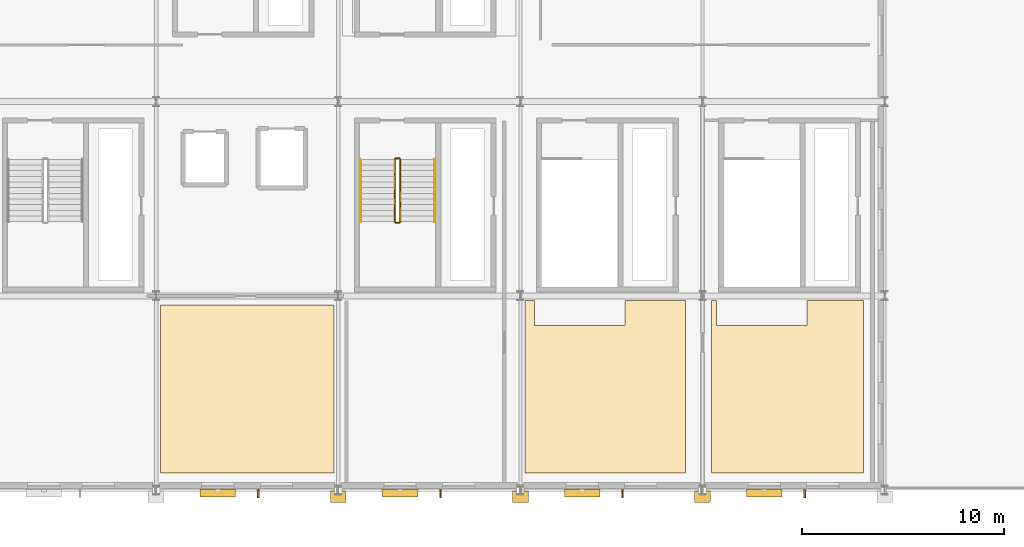
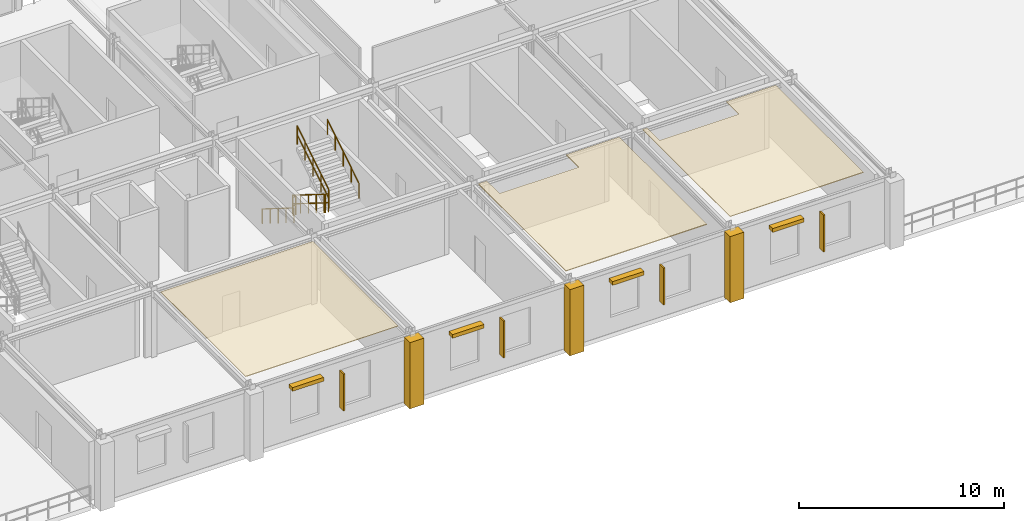
# One storey, part 75 of 81: 8 shading devices, 6 coverings, 6 railings.
"""IFC4 building model written with IfcOpenShell, lengths in metres."""

from ifc_helpers import new_model, si_unit, direction, frame, origin, origin_2d, place, context, subcontext, project, spatial, polyline, rectangle, outline, extrude, material, layer, layer_set, type_object, element, save


model = new_model("IFC4")

# Units and contexts
model_context = context("Model", 3, precision=1e-05, world=origin(), true_north=direction((0.0, 1.0)))
body_context = subcontext(model_context, "Body", "Model", "MODEL_VIEW")
ifc_project = project(units=[si_unit("LENGTHUNIT", "METRE"), si_unit("AREAUNIT", "SQUARE_METRE"), si_unit("VOLUMEUNIT", "CUBIC_METRE"), si_unit("PLANEANGLEUNIT", "RADIAN"), si_unit("MASSUNIT", "GRAM", prefix="KILO")], contexts=[model_context])

# Site, building, storey
site_placement = place(None, origin())
site = spatial("IfcSite", under=ifc_project, at=site_placement, CompositionType="ELEMENT")
building_placement = place(site_placement, origin())
building = spatial("IfcBuilding", under=site, at=building_placement, Name="Myrtia Square Station", CompositionType="ELEMENT")
storey_placement = place(building_placement, frame((0.0, 0.0, 10.800048828125)))
storey = spatial("IfcBuildingStorey", under=building, at=storey_placement, Name="L02", CompositionType="ELEMENT", Elevation=10.800048828125)

# Coverings
ifc_material_1 = material(Name="Pentelic marble ashlar", Category="masonry")
ifc_layer_1 = layer(ifc_material_1, 0.4599609375, Name="Pentelic marble ashlar")
ifc_layer_set_1 = layer_set([ifc_layer_1], Name="Pentelic marble ashlar")
covering_type_1 = type_object("IfcCoveringType", Name="COV-ARCH-ASHLAR", PredefinedType="CLADDING", material=ifc_layer_set_1)
for number, where, z_axis, x_axis, name in (
    (1, (135.0, -0.320068359375, -0.0400390625), (0.0, 0.0, 1.0), (1.0, 0.0, 0.0), "Classical Pentelic ashlar pilaster 022"),
    (2, (144.0, -0.320068359375, -0.0400390625), (0.0, 0.0, 1.0), (1.0, 0.0, 0.0), "Classical Pentelic ashlar pilaster 030"),
    (3, (153.0, -0.320068359375, -0.0400390625), (0.0, 0.0, 1.0), (1.0, 0.0, 0.0), "Classical Pentelic ashlar pilaster 038"),
):
    element("IfcCovering", number, at=place(storey_placement, frame(where, z_axis=z_axis, x_axis=x_axis)), inside=storey, type_object=covering_type_1, Name=name, PredefinedType="CLADDING", context=body_context, shape_type="SweptSolid", body=[
        extrude(rectangle(XDim=0.780029296875, YDim=0.56005859375, at=origin_2d()), origin(), (0.0, 0.0, 1.0), 3.93994140625),
    ])
ifc_material_2 = material(Name="Gypsum plasterboard")
ifc_layer_2 = layer(ifc_material_2, 0.034912109375, Name="Gypsum plasterboard")
ifc_layer_set_2 = layer_set([ifc_layer_2], Name="Gypsum plasterboard")
covering_type_2 = type_object("IfcCoveringType", Name="COV-CEIL-ACOUSTIC", PredefinedType="CEILING", material=ifc_layer_set_2)
covering_1_placement = place(storey_placement, frame((0.0, 0.0, 3.925048828125)))
element("IfcCovering", 4, at=covering_1_placement, inside=storey, type_object=covering_type_2, Name="Acoustic coffer ceiling L02-08", PredefinedType="CEILING", context=body_context, shape_type="SweptSolid", body=[
    extrude(outline(polyline([(134.780029296875, 9.14990234375), (134.780029296875, 0.85009765625), (126.219970703125, 0.85009765625), (126.219970703125, 9.14990234375), (134.780029296875, 9.14990234375)])), origin(), (0.0, 0.0, 1.0), 0.034912109375),
])
covering_2_placement = place(storey_placement, frame((0.0, 0.0, 3.89990234375)))
element("IfcCovering", 5, at=covering_2_placement, inside=storey, type_object=covering_type_2, Name="Acoustic coffer ceiling L02-10", PredefinedType="CEILING", context=body_context, shape_type="SweptSolid", body=[
    extrude(outline(polyline([(153.699951171875, 8.14990234375), (158.159912109375, 8.14990234375), (158.159912109375, 9.3798828125), (160.949951171875, 9.3798828125), (160.949951171875, 0.85009765625), (153.449951171875, 0.85009765625), (153.449951171875, 9.3798828125), (153.699951171875, 9.3798828125), (153.699951171875, 8.14990234375)])), origin(), (0.0, 0.0, 1.0), 0.03515625),
])
ifc_material_3 = material(Name="Acoustic European oak timber", Category="wood")
ifc_layer_3 = layer(ifc_material_3, 0.044921875, Name="Acoustic European oak timber")
ifc_layer_set_3 = layer_set([ifc_layer_3], Name="Acoustic European oak timber")
covering_type_3 = type_object("IfcCoveringType", Name="COV-CEIL-OAK", PredefinedType="CEILING", material=ifc_layer_set_3)
covering_3_placement = place(storey_placement, frame((0.0, 0.0, 3.889892578125)))
element("IfcCovering", 6, at=covering_3_placement, inside=storey, type_object=covering_type_3, Name="Acoustic coffer ceiling L02-09", PredefinedType="CEILING", context=body_context, shape_type="SweptSolid", body=[
    extrude(outline(polyline([(144.699951171875, 8.14990234375), (149.159912109375, 8.14990234375), (149.159912109375, 9.3798828125), (152.14990234375, 9.3798828125), (152.14990234375, 0.85009765625), (144.219970703125, 0.85009765625), (144.219970703125, 9.3798828125), (144.699951171875, 9.3798828125), (144.699951171875, 8.14990234375)])), origin(), (0.0, 0.0, 1.0), 0.045166015625),
])

# Railings
ifc_material_4 = material(Name="Dark bronze anodised aluminium", Category="aluminium")
railing_type_1 = type_object("IfcRailingType", Name="RL-HANDRAIL-900", PredefinedType="HANDRAIL", material=ifc_material_4)
railing_1_placement = place(storey_placement, frame((136.10009765625, 16.35009765625, 0.175048828125)))
element("IfcRailing", 7, at=railing_1_placement, inside=storey, type_object=railing_type_1, Name="L02 ST06 stair handrail 1", PredefinedType="HANDRAIL", context=body_context, shape_type="SweptSolid", body=[
    extrude(rectangle(XDim=0.048095703125, YDim=0.048095703125, at=origin_2d()), frame((0.0, -0.029296875, 0.894287109375), z_axis=(0.0, -0.848028513186, 0.529950602248), x_axis=(1.0, 0.0, 0.0)), (0.0, 0.0, 1.0), 0.838623046875),
    extrude(rectangle(XDim=0.048095703125, YDim=0.048095703125, at=origin_2d()), frame((0.0, -0.79931640625, 1.37548828125), z_axis=(0.0, -0.848028513186, 0.529950602248), x_axis=(1.0, 0.0, 0.0)), (0.0, 0.0, 1.0), 0.838623046875),
    extrude(rectangle(XDim=0.048095703125, YDim=0.048095703125, at=origin_2d()), frame((0.0, -1.5693359375, 1.856689453125), z_axis=(0.0, -0.848028513186, 0.529950602248), x_axis=(1.0, 0.0, 0.0)), (0.0, 0.0, 1.0), 0.838623046875),
    extrude(rectangle(XDim=0.048095703125, YDim=0.048095703125, at=origin_2d()), frame((0.0, -2.33935546875, 2.337890625), z_axis=(0.0, -0.848028513186, 0.529950602248), x_axis=(1.0, 0.0, 0.0)), (0.0, 0.0, 1.0), 0.838623046875),
    extrude(rectangle(XDim=0.0439453125, YDim=0.0439453125, at=origin_2d()), origin(), (0.0, 0.0, 1.0), 0.89990234375),
    extrude(rectangle(XDim=0.0439453125, YDim=0.0439453125, at=origin_2d()), frame((0.0, -0.77001953125, 0.481201171875)), (0.0, 0.0, 1.0), 0.89990234375),
    extrude(rectangle(XDim=0.0439453125, YDim=0.0439453125, at=origin_2d()), frame((0.0, -1.5400390625, 0.96240234375)), (0.0, 0.0, 1.0), 0.89990234375),
    extrude(rectangle(XDim=0.0439453125, YDim=0.0439453125, at=origin_2d()), frame((0.0, -2.31005859375, 1.443603515625)), (0.0, 0.0, 1.0), 0.89990234375),
    extrude(rectangle(XDim=0.0439453125, YDim=0.0439453125, at=origin_2d()), frame((0.0, -3.080078125, 1.9248046875)), (0.0, 0.0, 1.0), 0.89990234375),
])
railing_2_placement = place(storey_placement, frame((139.760009765625, 13.27001953125, 2.27490234375)))
element("IfcRailing", 8, at=railing_2_placement, inside=storey, type_object=railing_type_1, Name="L02 ST06 stair handrail 2", PredefinedType="HANDRAIL", context=body_context, shape_type="SweptSolid", body=[
    extrude(rectangle(XDim=0.048095703125, YDim=0.048095703125, at=origin_2d()), frame((0.0, 0.029296875, 0.894287109375), z_axis=(0.0, 0.847998304005, 0.529998940003), x_axis=(-1.0, 0.0, 0.0)), (0.0, 0.0, 1.0), 0.8388671875),
    extrude(rectangle(XDim=0.048095703125, YDim=0.048095703125, at=origin_2d()), frame((0.0, 0.79931640625, 1.37548828125), z_axis=(0.0, 0.847998304005, 0.529998940003), x_axis=(-1.0, 0.0, 0.0)), (0.0, 0.0, 1.0), 0.8388671875),
    extrude(rectangle(XDim=0.048095703125, YDim=0.048095703125, at=origin_2d()), frame((0.0, 1.5693359375, 1.856689453125), z_axis=(0.0, 0.847998304005, 0.529998940003), x_axis=(-1.0, 0.0, 0.0)), (0.0, 0.0, 1.0), 0.8388671875),
    extrude(rectangle(XDim=0.048095703125, YDim=0.048095703125, at=origin_2d()), frame((0.0, 2.33935546875, 2.337890625), z_axis=(0.0, 0.847998304005, 0.529998940003), x_axis=(-1.0, 0.0, 0.0)), (0.0, 0.0, 1.0), 0.8388671875),
    extrude(rectangle(XDim=0.0439453125, YDim=0.0439453125, at=origin_2d()), origin(), (0.0, 0.0, 1.0), 0.89990234375),
    extrude(rectangle(XDim=0.0439453125, YDim=0.0439453125, at=origin_2d()), frame((0.0, 0.77001953125, 0.481201171875)), (0.0, 0.0, 1.0), 0.89990234375),
    extrude(rectangle(XDim=0.0439453125, YDim=0.0439453125, at=origin_2d()), frame((0.0, 1.5400390625, 0.96240234375)), (0.0, 0.0, 1.0), 0.89990234375),
    extrude(rectangle(XDim=0.0439453125, YDim=0.0439453125, at=origin_2d()), frame((0.0, 2.31005859375, 1.44384765625)), (0.0, 0.0, 1.0), 0.89990234375),
    extrude(rectangle(XDim=0.0439453125, YDim=0.0439453125, at=origin_2d()), frame((0.0, 3.080078125, 1.925048828125)), (0.0, 0.0, 1.0), 0.89990234375),
])
ifc_material_5 = material(Name="Wrought iron", Category="steel")
railing_type_2 = type_object("IfcRailingType", Name="RL-INT-GUARD-1100", PredefinedType="BALUSTRADE", material=ifc_material_5)
railing_3_placement = place(storey_placement, frame((137.800048828125, 16.35009765625, 0.175048828125)))
element("IfcRailing", 9, at=railing_3_placement, inside=storey, type_object=railing_type_2, Name="L02 ST06 stair guard 1", PredefinedType="BALUSTRADE", context=body_context, shape_type="SweptSolid", body=[
    extrude(rectangle(XDim=0.048095703125, YDim=0.048095703125, at=origin_2d()), frame((0.0, -0.029296875, 1.114501953125), z_axis=(0.0, -0.848028513186, 0.529950602248), x_axis=(1.0, 0.0, 0.0)), (0.0, 0.0, 1.0), 0.838623046875),
    extrude(rectangle(XDim=0.048095703125, YDim=0.048095703125, at=origin_2d()), frame((0.0, -0.029296875, 0.600830078125), z_axis=(0.0, -0.848028513186, 0.529950602248), x_axis=(1.0, 0.0, 0.0)), (0.0, 0.0, 1.0), 0.838623046875),
    extrude(rectangle(XDim=0.048095703125, YDim=0.048095703125, at=origin_2d()), frame((0.0, -0.79931640625, 1.595703125), z_axis=(0.0, -0.848028513186, 0.529950602248), x_axis=(1.0, 0.0, 0.0)), (0.0, 0.0, 1.0), 0.838623046875),
    extrude(rectangle(XDim=0.048095703125, YDim=0.048095703125, at=origin_2d()), frame((0.0, -0.79931640625, 1.08203125), z_axis=(0.0, -0.848028513186, 0.529950602248), x_axis=(1.0, 0.0, 0.0)), (0.0, 0.0, 1.0), 0.838623046875),
    extrude(rectangle(XDim=0.048095703125, YDim=0.048095703125, at=origin_2d()), frame((0.0, -1.5693359375, 2.076904296875), z_axis=(0.0, -0.848028513186, 0.529950602248), x_axis=(1.0, 0.0, 0.0)), (0.0, 0.0, 1.0), 0.838623046875),
    extrude(rectangle(XDim=0.048095703125, YDim=0.048095703125, at=origin_2d()), frame((0.0, -1.5693359375, 1.563232421875), z_axis=(0.0, -0.848028513186, 0.529950602248), x_axis=(1.0, 0.0, 0.0)), (0.0, 0.0, 1.0), 0.838623046875),
    extrude(rectangle(XDim=0.048095703125, YDim=0.048095703125, at=origin_2d()), frame((0.0, -2.33935546875, 2.55810546875), z_axis=(0.0, -0.848028513186, 0.529950602248), x_axis=(1.0, 0.0, 0.0)), (0.0, 0.0, 1.0), 0.838623046875),
    extrude(rectangle(XDim=0.048095703125, YDim=0.048095703125, at=origin_2d()), frame((0.0, -2.33935546875, 2.04443359375), z_axis=(0.0, -0.848028513186, 0.529950602248), x_axis=(1.0, 0.0, 0.0)), (0.0, 0.0, 1.0), 0.838623046875),
    extrude(rectangle(XDim=0.0439453125, YDim=0.0439453125, at=origin_2d()), origin(), (0.0, 0.0, 1.0), 1.1201171875),
    extrude(rectangle(XDim=0.0439453125, YDim=0.0439453125, at=origin_2d()), frame((0.0, -0.77001953125, 0.481201171875)), (0.0, 0.0, 1.0), 1.1201171875),
    extrude(rectangle(XDim=0.0439453125, YDim=0.0439453125, at=origin_2d()), frame((0.0, -1.5400390625, 0.96240234375)), (0.0, 0.0, 1.0), 1.1201171875),
    extrude(rectangle(XDim=0.0439453125, YDim=0.0439453125, at=origin_2d()), frame((0.0, -2.31005859375, 1.443603515625)), (0.0, 0.0, 1.0), 1.1201171875),
    extrude(rectangle(XDim=0.0439453125, YDim=0.0439453125, at=origin_2d()), frame((0.0, -3.080078125, 1.9248046875)), (0.0, 0.0, 1.0), 1.1201171875),
])
railing_4_placement = place(storey_placement, frame((137.85009765625, 13.219970703125, 2.099853515625)))
element("IfcRailing", 10, at=railing_4_placement, inside=storey, type_object=railing_type_2, Name="L02 ST06 stair guard 2", PredefinedType="BALUSTRADE", context=body_context, shape_type="SweptSolid", body=[
    extrude(rectangle(XDim=0.048095703125, YDim=0.048095703125, at=origin_2d()), frame((0.03466796875, 0.0, 1.09619140625), z_axis=(1.0, 0.0, 0.0), x_axis=(0.0, 1.0, 0.0)), (0.0, 0.0, 1.0), 0.090576171875),
    extrude(rectangle(XDim=0.048095703125, YDim=0.048095703125, at=origin_2d()), frame((0.03466796875, 0.0, 0.58251953125), z_axis=(1.0, 0.0, 0.0), x_axis=(0.0, 1.0, 0.0)), (0.0, 0.0, 1.0), 0.090576171875),
    extrude(rectangle(XDim=0.0439453125, YDim=0.0439453125, at=origin_2d()), origin(), (0.0, 0.0, 1.0), 1.1201171875),
    extrude(rectangle(XDim=0.0439453125, YDim=0.0439453125, at=origin_2d()), frame((0.159912109375, 0.0, 0.0)), (0.0, 0.0, 1.0), 1.1201171875),
])
railing_5_placement = place(storey_placement, frame((138.06005859375, 13.27001953125, 2.27490234375)))
element("IfcRailing", 11, at=railing_5_placement, inside=storey, type_object=railing_type_2, Name="L02 ST06 stair guard 3", PredefinedType="BALUSTRADE", context=body_context, shape_type="SweptSolid", body=[
    extrude(rectangle(XDim=0.048095703125, YDim=0.048095703125, at=origin_2d()), frame((0.0, 0.029296875, 1.114501953125), z_axis=(0.0, 0.847998304005, 0.529998940003), x_axis=(-1.0, 0.0, 0.0)), (0.0, 0.0, 1.0), 0.8388671875),
    extrude(rectangle(XDim=0.048095703125, YDim=0.048095703125, at=origin_2d()), frame((0.0, 0.029296875, 0.600830078125), z_axis=(0.0, 0.847998304005, 0.529998940003), x_axis=(-1.0, 0.0, 0.0)), (0.0, 0.0, 1.0), 0.8388671875),
    extrude(rectangle(XDim=0.048095703125, YDim=0.048095703125, at=origin_2d()), frame((0.0, 0.79931640625, 1.595703125), z_axis=(0.0, 0.847998304005, 0.529998940003), x_axis=(-1.0, 0.0, 0.0)), (0.0, 0.0, 1.0), 0.8388671875),
    extrude(rectangle(XDim=0.048095703125, YDim=0.048095703125, at=origin_2d()), frame((0.0, 0.79931640625, 1.08203125), z_axis=(0.0, 0.847998304005, 0.529998940003), x_axis=(-1.0, 0.0, 0.0)), (0.0, 0.0, 1.0), 0.8388671875),
    extrude(rectangle(XDim=0.048095703125, YDim=0.048095703125, at=origin_2d()), frame((0.0, 1.5693359375, 2.076904296875), z_axis=(0.0, 0.847998304005, 0.529998940003), x_axis=(-1.0, 0.0, 0.0)), (0.0, 0.0, 1.0), 0.8388671875),
    extrude(rectangle(XDim=0.048095703125, YDim=0.048095703125, at=origin_2d()), frame((0.0, 1.5693359375, 1.563232421875), z_axis=(0.0, 0.847998304005, 0.529998940003), x_axis=(-1.0, 0.0, 0.0)), (0.0, 0.0, 1.0), 0.8388671875),
    extrude(rectangle(XDim=0.048095703125, YDim=0.048095703125, at=origin_2d()), frame((0.0, 2.33935546875, 2.55810546875), z_axis=(0.0, 0.847998304005, 0.529998940003), x_axis=(-1.0, 0.0, 0.0)), (0.0, 0.0, 1.0), 0.8388671875),
    extrude(rectangle(XDim=0.048095703125, YDim=0.048095703125, at=origin_2d()), frame((0.0, 2.33935546875, 2.044677734375), z_axis=(0.0, 0.847998304005, 0.529998940003), x_axis=(-1.0, 0.0, 0.0)), (0.0, 0.0, 1.0), 0.8388671875),
    extrude(rectangle(XDim=0.0439453125, YDim=0.0439453125, at=origin_2d()), origin(), (0.0, 0.0, 1.0), 1.1201171875),
    extrude(rectangle(XDim=0.0439453125, YDim=0.0439453125, at=origin_2d()), frame((0.0, 0.77001953125, 0.481201171875)), (0.0, 0.0, 1.0), 1.1201171875),
    extrude(rectangle(XDim=0.0439453125, YDim=0.0439453125, at=origin_2d()), frame((0.0, 1.5400390625, 0.96240234375)), (0.0, 0.0, 1.0), 1.1201171875),
    extrude(rectangle(XDim=0.0439453125, YDim=0.0439453125, at=origin_2d()), frame((0.0, 2.31005859375, 1.44384765625)), (0.0, 0.0, 1.0), 1.1201171875),
    extrude(rectangle(XDim=0.0439453125, YDim=0.0439453125, at=origin_2d()), frame((0.0, 3.080078125, 1.925048828125)), (0.0, 0.0, 1.0), 1.1201171875),
])
railing_6_placement = place(storey_placement, frame((137.85009765625, 16.39990234375, 0.0)))
element("IfcRailing", 12, at=railing_6_placement, inside=storey, type_object=railing_type_2, Name="L02 ST06 stair guard 4", PredefinedType="BALUSTRADE", context=body_context, shape_type="SweptSolid", body=[
    extrude(rectangle(XDim=0.048095703125, YDim=0.048095703125, at=origin_2d()), frame((0.03466796875, 0.0, 1.09619140625), z_axis=(1.0, 0.0, 0.0), x_axis=(0.0, 1.0, 0.0)), (0.0, 0.0, 1.0), 0.090576171875),
    extrude(rectangle(XDim=0.048095703125, YDim=0.048095703125, at=origin_2d()), frame((0.03466796875, 0.0, 0.58251953125), z_axis=(1.0, 0.0, 0.0), x_axis=(0.0, 1.0, 0.0)), (0.0, 0.0, 1.0), 0.090576171875),
    extrude(rectangle(XDim=0.0439453125, YDim=0.0439453125, at=origin_2d()), origin(), (0.0, 0.0, 1.0), 1.1201171875),
    extrude(rectangle(XDim=0.0439453125, YDim=0.0439453125, at=origin_2d()), frame((0.159912109375, 0.0, 0.0)), (0.0, 0.0, 1.0), 1.1201171875),
])

# Shading devices
shading_device_type_1 = type_object("IfcShadingDeviceType", Name="SHD-FIN-BRONZE", PredefinedType="USERDEFINED", material=ifc_material_4)
for number, where, z_axis, x_axis, name in (
    (13, (131.048095703125, -0.169921875, 0.9501953125), (0.0, 0.0, 1.0), (1.0, 0.0, 0.0), "Vertical bronze solar fin SHF-020"),
    (14, (140.048095703125, -0.169921875, 0.9501953125), (0.0, 0.0, 1.0), (1.0, 0.0, 0.0), "Vertical bronze solar fin SHF-021"),
    (15, (149.048095703125, -0.169921875, 0.9501953125), (0.0, 0.0, 1.0), (1.0, 0.0, 0.0), "Vertical bronze solar fin SHF-022"),
    (16, (158.048095703125, -0.169921875, 0.9501953125), (0.0, 0.0, 1.0), (1.0, 0.0, 0.0), "Vertical bronze solar fin SHF-023"),
):
    element("IfcShadingDevice", number, at=place(storey_placement, frame(where, z_axis=z_axis, x_axis=x_axis)), inside=storey, type_object=shading_device_type_1, Name=name, ObjectType="FIN", PredefinedType="USERDEFINED", context=body_context, shape_type="SweptSolid", body=[
        extrude(rectangle(XDim=0.080078125, YDim=0.389892578125, at=origin_2d()), origin(), (0.0, 0.0, 1.0), 2.199951171875),
    ])
shading_device_type_2 = type_object("IfcShadingDeviceType", Name="SHD-JALOUSIE-BRONZE", PredefinedType="JALOUSIE", material=ifc_material_4)
for number, where, z_axis, x_axis, name in (
    (17, (129.052001953125, -0.14990234375, 3.08984375), (0.0, 0.0, 1.0), (1.0, 0.0, 0.0), "Mediterranean bronze solar louvre SHL-020"),
    (18, (138.052001953125, -0.14990234375, 3.08984375), (0.0, 0.0, 1.0), (1.0, 0.0, 0.0), "Mediterranean bronze solar louvre SHL-021"),
    (19, (147.052001953125, -0.14990234375, 3.08984375), (0.0, 0.0, 1.0), (1.0, 0.0, 0.0), "Mediterranean bronze solar louvre SHL-022"),
    (20, (156.052001953125, -0.14990234375, 3.08984375), (0.0, 0.0, 1.0), (1.0, 0.0, 0.0), "Mediterranean bronze solar louvre SHL-023"),
):
    element("IfcShadingDevice", number, at=place(storey_placement, frame(where, z_axis=z_axis, x_axis=x_axis)), inside=storey, type_object=shading_device_type_2, Name=name, PredefinedType="JALOUSIE", context=body_context, shape_type="SweptSolid", body=[
        extrude(rectangle(XDim=1.760009765625, YDim=0.35009765625, at=origin_2d()), origin(), (0.0, 0.0, 1.0), 0.219970703125),
    ])

save(model, "model.ifc")
